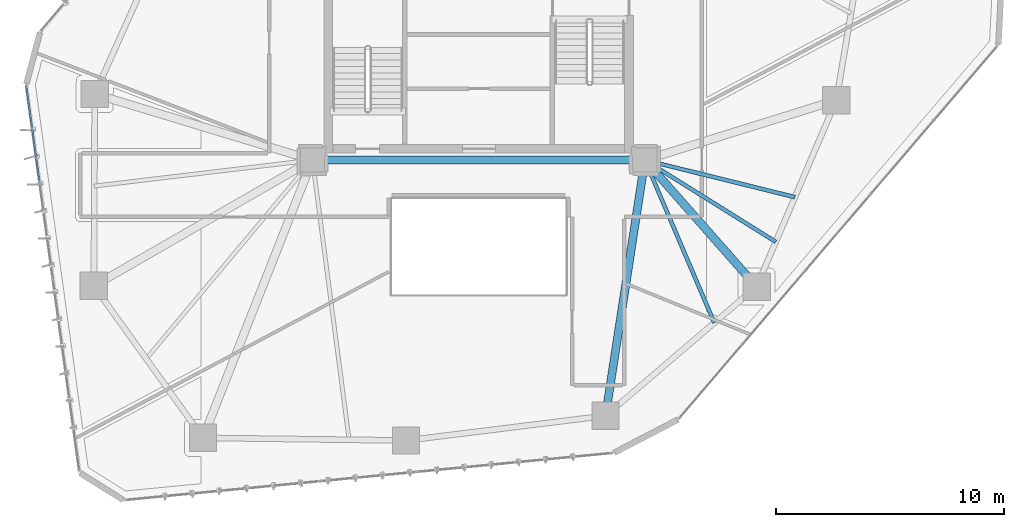
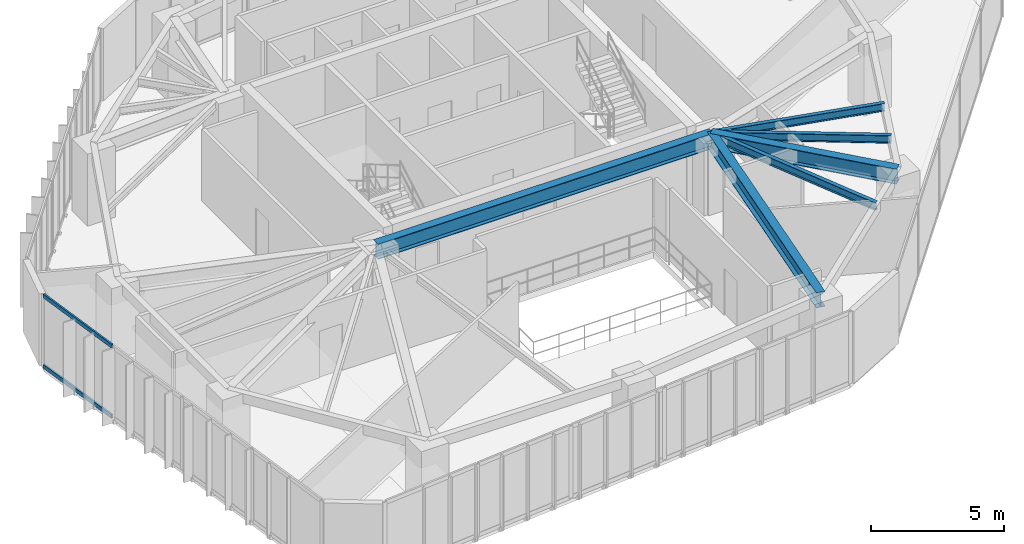
# One storey, part 8 of 22: 6 beams, 2 members, 1 element without a shape of its own.
"""IFC4 building model written with IfcOpenShell, lengths in metres."""

from ifc_helpers import new_model, si_unit, direction, frame, origin, origin_2d, place, context, subcontext, project, spatial, hollow_rectangle, i_section, extrude, source, transform, mapped, material, layer, layer_set, material_profile, profile_set, type_object, type_shapes, element, aggregate, save


model = new_model("IFC4")

# Units and contexts
model_context = context("Model", 3, precision=1e-05, world=origin(), true_north=direction((0.0, 1.0)))
body_context = subcontext(model_context, "Body", "Model", "MODEL_VIEW")
ifc_project = project(units=[si_unit("LENGTHUNIT", "METRE"), si_unit("AREAUNIT", "SQUARE_METRE"), si_unit("VOLUMEUNIT", "CUBIC_METRE"), si_unit("PLANEANGLEUNIT", "RADIAN"), si_unit("MASSUNIT", "GRAM", prefix="KILO")], contexts=[model_context])

# Site, building, storey
site_placement = place(None, origin())
site = spatial("IfcSite", under=ifc_project, at=site_placement, CompositionType="ELEMENT")
building_placement = place(site_placement, origin())
building = spatial("IfcBuilding", under=site, at=building_placement, Name="Talar Marvaseh", CompositionType="ELEMENT")
storey_placement = place(building_placement, frame((0.0, 0.0, 107.39990234375)))
storey = spatial("IfcBuildingStorey", under=building, at=storey_placement, Name="L27", CompositionType="ELEMENT", Elevation=107.39990234375)

# Beams
ifc_material_1 = material(Name="Steel S355", Category="steel")
ifc_material_profile_1 = material_profile(ifc_material_1, i_section(OverallWidth=0.35498046875, OverallDepth=0.695068359375, WebThickness=0.015380859375, FlangeThickness=0.02490234375, at=origin_2d()), Name="W690x217")
ifc_profile_set_1 = profile_set([ifc_material_profile_1], Name="Steel S355")
beam_type_1 = type_object("IfcBeamType", Name="Zone 2 Radial Floor Girder W690x217", PredefinedType="BEAM", material=ifc_profile_set_1)
beam_1_placement = place(storey_placement, frame((18.699951171875, 25.5, 2.962646484375), z_axis=(1.0, 0.0, 0.0), x_axis=(0.0, 1.0, 0.0)))
element("IfcBeam", 1, at=beam_1_placement, inside=storey, type_object=beam_type_1, Name="L27 Zone 2 Radial Floor Girder W690x217", PredefinedType="BEAM", context=body_context, shape_type="SweptSolid", body=[
    extrude(i_section(OverallWidth=0.35498046875, OverallDepth=0.695068359375, WebThickness=0.015380859375, FlangeThickness=0.02490234375, at=origin_2d()), origin(), (0.0, 0.0, 1.0), 14.60009765625),
])
beam_2_placement = place(storey_placement, frame((38.2060546875, 19.94091796875, 2.962646484375), z_axis=(-0.661692423388, 0.749775390921, 0.0), x_axis=(-0.749775390921, -0.661692423388, 0.0)))
element("IfcBeam", 2, at=beam_2_placement, inside=storey, type_object=beam_type_1, Name="L27 Zone 2 Radial Floor Girder W690x217", PredefinedType="BEAM", context=body_context, shape_type="SweptSolid", body=[
    extrude(i_section(OverallWidth=0.35498046875, OverallDepth=0.695068359375, WebThickness=0.015380859375, FlangeThickness=0.02490234375, at=origin_2d()), origin(), (0.0, 0.0, 1.0), 7.414306640625),
])
beam_3_placement = place(storey_placement, frame((31.570068359375, 14.26806640625, 2.962646484375), z_axis=(0.152228300633, 0.98834535689, 0.0), x_axis=(-0.98834535689, 0.152228300633, 0.0)))
element("IfcBeam", 3, at=beam_3_placement, inside=storey, type_object=beam_type_1, Name="L27 Zone 2 Radial Floor Girder W690x217", PredefinedType="BEAM", context=body_context, shape_type="SweptSolid", body=[
    extrude(i_section(OverallWidth=0.35498046875, OverallDepth=0.695068359375, WebThickness=0.015380859375, FlangeThickness=0.02490234375, at=origin_2d()), origin(), (0.0, 0.0, 1.0), 11.364501953125),
])
ifc_material_profile_2 = material_profile(ifc_material_1, i_section(OverallWidth=0.172119140625, OverallDepth=0.35791015625, WebThickness=0.0078125, FlangeThickness=0.01318359375, at=origin_2d()), Name="W360x57")
ifc_profile_set_2 = profile_set([ifc_material_profile_2], Name="Steel S355")
beam_type_2 = type_object("IfcBeamType", Name="Zone 2 Secondary Floor Joist W360x57", PredefinedType="JOIST", material=ifc_profile_set_2)
beam_4_placement = place(storey_placement, frame((39.887451171875, 23.870849609375, 3.131103515625), z_axis=(-0.970753133019, 0.240079892396, 0.0), x_axis=(-0.240079892396, -0.970753133019, 0.0)))
element("IfcBeam", 4, at=beam_4_placement, inside=storey, type_object=beam_type_2, Name="L27 Zone 2 Secondary Floor Joist W360x57", PredefinedType="JOIST", context=body_context, shape_type="SweptSolid", body=[
    extrude(i_section(OverallWidth=0.172119140625, OverallDepth=0.35791015625, WebThickness=0.0078125, FlangeThickness=0.01318359375, at=origin_2d()), origin(), (0.0, 0.0, 1.0), 6.785888671875),
])
beam_5_placement = place(storey_placement, frame((39.046630859375, 21.906005859375, 3.131103515625), z_axis=(-0.84784042564, 0.530251461715, 0.0), x_axis=(-0.530251461715, -0.84784042564, 0.0)))
element("IfcBeam", 5, at=beam_5_placement, inside=storey, type_object=beam_type_2, Name="L27 Zone 2 Secondary Floor Joist W360x57", PredefinedType="JOIST", context=body_context, shape_type="SweptSolid", body=[
    extrude(i_section(OverallWidth=0.172119140625, OverallDepth=0.35791015625, WebThickness=0.0078125, FlangeThickness=0.01318359375, at=origin_2d()), origin(), (0.0, 0.0, 1.0), 6.77783203125),
])
beam_6_placement = place(storey_placement, frame((36.347900390625, 18.3525390625, 3.131103515625), z_axis=(-0.39225012708, 0.919858596636, 0.0), x_axis=(-0.919858596636, -0.39225012708, 0.0)))
element("IfcBeam", 6, at=beam_6_placement, inside=storey, type_object=beam_type_2, Name="L27 Zone 2 Secondary Floor Joist W360x57", PredefinedType="JOIST", context=body_context, shape_type="SweptSolid", body=[
    extrude(i_section(OverallWidth=0.172119140625, OverallDepth=0.35791015625, WebThickness=0.0078125, FlangeThickness=0.01318359375, at=origin_2d()), origin(), (0.0, 0.0, 1.0), 7.770263671875),
])

# Curtain wall, members
ifc_material_2 = material(Name="Architectural Aluminium", Category="aluminium")
ifc_layer = layer(ifc_material_2, 0.199951171875)
ifc_layer_set = layer_set([ifc_layer], Name="Architectural Aluminium")
curtain_wall_type = type_object("IfcCurtainWallType", Name="Unitised Acoustic Library Curtain Wall Z2", PredefinedType="NOTDEFINED", material=ifc_layer_set)
curtain_wall_placement = place(storey_placement, origin())
curtain_wall = element("IfcCurtainWall", 7, at=curtain_wall_placement, inside=storey, type_object=curtain_wall_type, Name="L27 Unitised Acoustic Library Curtain Wall Z2", PredefinedType="NOTDEFINED")
ifc_material_profile_3 = material_profile(ifc_material_2, hollow_rectangle(XDim=0.074951171875, YDim=0.179931640625, WallThickness=0.0048828125, at=origin_2d()), Name="RHS180x75x5")
ifc_profile_set_3 = profile_set([ifc_material_profile_3], Name="Architectural Aluminium")
member_type = type_object("IfcMemberType", Name="Unitised Curtain Wall Transom RHS180x75x5", PredefinedType="USERDEFINED", material=ifc_profile_set_3)
shared_shape = source(origin(), body_context, "Body", "SweptSolid", [
    extrude(hollow_rectangle(XDim=0.074951171875, YDim=0.179931640625, WallThickness=0.0048828125, at=origin_2d()), origin(), (0.0, 0.0, 1.0), 4.18505859375),
])
type_shapes(member_type, [shared_shape])
member_1_placement = place(storey_placement, frame((6.7080078125, 24.597900390625, 0.03759765625), z_axis=(-0.136503164844, 0.990639634775, 0.0), x_axis=(-0.990639634775, -0.136503164844, 0.0)))
member_1 = element("IfcMember", 8, at=member_1_placement, type_object=member_type, Name="CW-Z2 transom 4.1", ObjectType="TRANSOM", PredefinedType="USERDEFINED", context=body_context, shape_type="MappedRepresentation", body=[
    mapped(shared_shape, transform((0.0, 0.0, 0.0), x_axis=(1.0, 0.0, 0.0), y_axis=(0.0, 1.0, 0.0), z_axis=(0.0, 0.0, 1.0), scale=1.0)),
])
member_2_placement = place(storey_placement, frame((6.7080078125, 24.597900390625, 3.272705078125), z_axis=(-0.136503164844, 0.990639634775, 0.0), x_axis=(-0.990639634775, -0.136503164844, 0.0)))
member_2 = element("IfcMember", 9, at=member_2_placement, type_object=member_type, Name="CW-Z2 transom 4.2", ObjectType="TRANSOM", PredefinedType="USERDEFINED", context=body_context, shape_type="MappedRepresentation", body=[
    mapped(shared_shape, transform((0.0, 0.0, 0.0), x_axis=(1.0, 0.0, 0.0), y_axis=(0.0, 1.0, 0.0), z_axis=(0.0, 0.0, 1.0), scale=1.0)),
])
aggregate(curtain_wall, [member_1, member_2])

save(model, "model.ifc")
